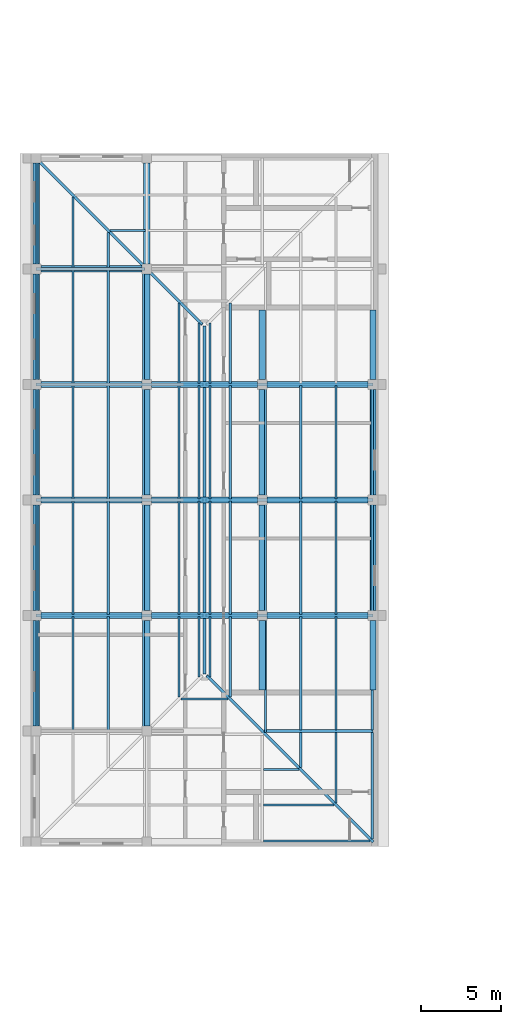
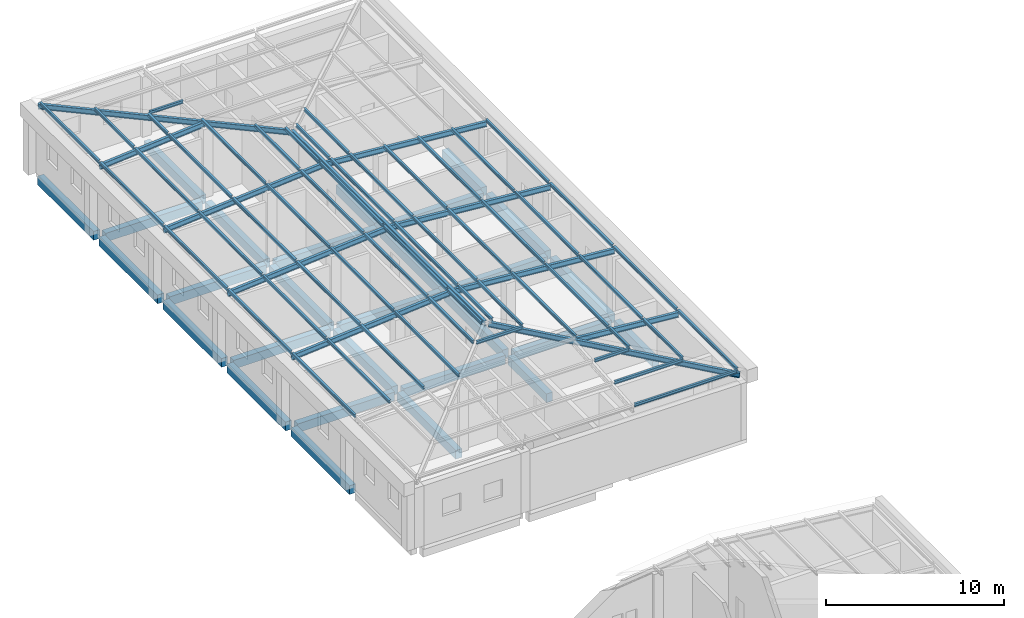
# One storey, part 6 of 48: 55 members, 39 beams.
"""IFC4 building model written with IfcOpenShell, lengths in metres."""

from ifc_helpers import new_model, si_unit, direction, frame, origin, origin_2d, place, context, subcontext, project, spatial, rectangle, i_section, extrude, material, material_profile, profile_set, type_object, element, save


model = new_model("IFC4")

# Units and contexts
model_context = context("Model", 3, precision=1e-05, world=origin(), true_north=direction((0.0, 1.0)))
body_context = subcontext(model_context, "Body", "Model", "MODEL_VIEW")
ifc_project = project(units=[si_unit("LENGTHUNIT", "METRE"), si_unit("AREAUNIT", "SQUARE_METRE"), si_unit("VOLUMEUNIT", "CUBIC_METRE"), si_unit("PLANEANGLEUNIT", "RADIAN"), si_unit("MASSUNIT", "GRAM", prefix="KILO")], contexts=[model_context])

# Site, building, storey
site_placement = place(None, origin())
site = spatial("IfcSite", under=ifc_project, at=site_placement, CompositionType="ELEMENT")
building_placement = place(site_placement, origin())
building = spatial("IfcBuilding", under=site, at=building_placement, Name="Alderwick Market Hall", CompositionType="ELEMENT")
storey_placement = place(building_placement, frame((0.0, 0.0, 14.39990234375)))
storey = spatial("IfcBuildingStorey", under=building, at=storey_placement, Name="L02", CompositionType="ELEMENT", Elevation=14.39990234375)

# Beams
ifc_material_1 = material(Name="Concrete 5000 psi (f'c 35 MPa)", Category="concrete")
ifc_material_profile_1 = material_profile(ifc_material_1, rectangle(XDim=0.39990234375, YDim=0.60009765625, at=origin_2d()), Name="B RC Beam 400x600")
ifc_profile_set_1 = profile_set([ifc_material_profile_1], Name="Concrete 5000 psi (f'c 35 MPa)")
beam_type_1 = type_object("IfcBeamType", Name="B RC Beam 400x600", PredefinedType="BEAM", material=ifc_profile_set_1)
for number, where, z_axis, x_axis, name in (
    (1, (22.199951171875, 122.39990234375, -0.5498046875), (1.0, 0.0, 0.0), (0.0, 1.0, 0.0), "B.N.beam.L02.u072-0006"),
    (2, (22.199951171875, 115.199951171875, -0.5498046875), (1.0, 0.0, 0.0), (0.0, 1.0, 0.0), "B.N.beam.L02.u144-0006"),
):
    element("IfcBeam", number, at=place(storey_placement, frame(where, z_axis=z_axis, x_axis=x_axis)), inside=storey, type_object=beam_type_1, Name=name, PredefinedType="BEAM", context=body_context, shape_type="SweptSolid", body=[
        extrude(rectangle(XDim=0.39990234375, YDim=0.60009765625, at=origin_2d()), origin(), (0.0, 0.0, 1.0), 6.300048828125),
    ])
beam_1_placement = place(storey_placement, frame((29.10009765625, 115.199951171875, -0.5498046875), z_axis=(1.0, 0.0, 0.0), x_axis=(0.0, 1.0, 0.0)))
element("IfcBeam", 3, at=beam_1_placement, inside=storey, type_object=beam_type_1, Name="B.N.beam.L02.u144-0075", PredefinedType="BEAM", context=body_context, shape_type="SweptSolid", body=[
    extrude(rectangle(XDim=0.39990234375, YDim=0.60009765625, at=origin_2d()), origin(), (0.0, 0.0, 1.0), 6.599853515625),
])
for number, where, z_axis, x_axis, name in (
    (4, (36.300048828125, 115.199951171875, -0.5498046875), (1.0, 0.0, 0.0), (0.0, 1.0, 0.0), "B.N.beam.L02.u144-0147"),
    (5, (22.199951171875, 108.0, -0.5498046875), (1.0, 0.0, 0.0), (0.0, 1.0, 0.0), "B.N.beam.L02.u216-0006"),
):
    element("IfcBeam", number, at=place(storey_placement, frame(where, z_axis=z_axis, x_axis=x_axis)), inside=storey, type_object=beam_type_1, Name=name, PredefinedType="BEAM", context=body_context, shape_type="SweptSolid", body=[
        extrude(rectangle(XDim=0.39990234375, YDim=0.60009765625, at=origin_2d()), origin(), (0.0, 0.0, 1.0), 6.300048828125),
    ])
beam_2_placement = place(storey_placement, frame((29.10009765625, 108.0, -0.5498046875), z_axis=(1.0, 0.0, 0.0), x_axis=(0.0, 1.0, 0.0)))
element("IfcBeam", 6, at=beam_2_placement, inside=storey, type_object=beam_type_1, Name="B.N.beam.L02.u216-0075", PredefinedType="BEAM", context=body_context, shape_type="SweptSolid", body=[
    extrude(rectangle(XDim=0.39990234375, YDim=0.60009765625, at=origin_2d()), origin(), (0.0, 0.0, 1.0), 6.599853515625),
])
for number, where, z_axis, x_axis, name in (
    (7, (36.300048828125, 108.0, -0.5498046875), (1.0, 0.0, 0.0), (0.0, 1.0, 0.0), "B.N.beam.L02.u216-0147"),
    (8, (22.199951171875, 100.800048828125, -0.5498046875), (1.0, 0.0, 0.0), (0.0, 1.0, 0.0), "B.N.beam.L02.u288-0006"),
):
    element("IfcBeam", number, at=place(storey_placement, frame(where, z_axis=z_axis, x_axis=x_axis)), inside=storey, type_object=beam_type_1, Name=name, PredefinedType="BEAM", context=body_context, shape_type="SweptSolid", body=[
        extrude(rectangle(XDim=0.39990234375, YDim=0.60009765625, at=origin_2d()), origin(), (0.0, 0.0, 1.0), 6.300048828125),
    ])
beam_3_placement = place(storey_placement, frame((29.10009765625, 100.800048828125, -0.5498046875), z_axis=(1.0, 0.0, 0.0), x_axis=(0.0, 1.0, 0.0)))
element("IfcBeam", 9, at=beam_3_placement, inside=storey, type_object=beam_type_1, Name="B.N.beam.L02.u288-0075", PredefinedType="BEAM", context=body_context, shape_type="SweptSolid", body=[
    extrude(rectangle(XDim=0.39990234375, YDim=0.60009765625, at=origin_2d()), origin(), (0.0, 0.0, 1.0), 6.599853515625),
])
for number, where, z_axis, x_axis, name in (
    (10, (36.300048828125, 100.800048828125, -0.5498046875), (1.0, 0.0, 0.0), (0.0, 1.0, 0.0), "B.N.beam.L02.u288-0147"),
    (11, (21.89990234375, 129.0, -0.5498046875), (0.0, -1.0, 0.0), (1.0, 0.0, 0.0), "B.N.beam.L02.w003-0006"),
):
    element("IfcBeam", number, at=place(storey_placement, frame(where, z_axis=z_axis, x_axis=x_axis)), inside=storey, type_object=beam_type_1, Name=name, PredefinedType="BEAM", context=body_context, shape_type="SweptSolid", body=[
        extrude(rectangle(XDim=0.39990234375, YDim=0.60009765625, at=origin_2d()), origin(), (0.0, 0.0, 1.0), 6.300048828125),
    ])
beam_4_placement = place(storey_placement, frame((21.89990234375, 122.10009765625, -0.5498046875), z_axis=(0.0, -1.0, 0.0), x_axis=(1.0, 0.0, 0.0)))
element("IfcBeam", 12, at=beam_4_placement, inside=storey, type_object=beam_type_1, Name="B.N.beam.L02.w003-0075", PredefinedType="BEAM", context=body_context, shape_type="SweptSolid", body=[
    extrude(rectangle(XDim=0.39990234375, YDim=0.60009765625, at=origin_2d()), origin(), (0.0, 0.0, 1.0), 6.60009765625),
])
for number, where, z_axis, x_axis, name in (
    (13, (21.89990234375, 114.89990234375, -0.5498046875), (0.0, -1.0, 0.0), (1.0, 0.0, 0.0), "B.N.beam.L02.w003-0147"),
    (14, (21.89990234375, 107.699951171875, -0.5498046875), (0.0, -1.0, 0.0), (1.0, 0.0, 0.0), "B.N.beam.L02.w003-0219"),
):
    element("IfcBeam", number, at=place(storey_placement, frame(where, z_axis=z_axis, x_axis=x_axis)), inside=storey, type_object=beam_type_1, Name=name, PredefinedType="BEAM", context=body_context, shape_type="SweptSolid", body=[
        extrude(rectangle(XDim=0.39990234375, YDim=0.60009765625, at=origin_2d()), origin(), (0.0, 0.0, 1.0), 6.599853515625),
    ])
beam_5_placement = place(storey_placement, frame((21.89990234375, 100.5, -0.5498046875), z_axis=(0.0, -1.0, 0.0), x_axis=(1.0, 0.0, 0.0)))
element("IfcBeam", 15, at=beam_5_placement, inside=storey, type_object=beam_type_1, Name="B.N.beam.L02.w003-0291", PredefinedType="BEAM", context=body_context, shape_type="SweptSolid", body=[
    extrude(rectangle(XDim=0.39990234375, YDim=0.60009765625, at=origin_2d()), origin(), (0.0, 0.0, 1.0), 6.60009765625),
])
beam_6_placement = place(storey_placement, frame((28.800048828125, 129.0, -0.5498046875), z_axis=(0.0, -1.0, 0.0), x_axis=(1.0, 0.0, 0.0)))
element("IfcBeam", 16, at=beam_6_placement, inside=storey, type_object=beam_type_1, Name="B.N.beam.L02.w072-0006", PredefinedType="BEAM", context=body_context, shape_type="SweptSolid", body=[
    extrude(rectangle(XDim=0.39990234375, YDim=0.60009765625, at=origin_2d()), origin(), (0.0, 0.0, 1.0), 6.300048828125),
])
beam_7_placement = place(storey_placement, frame((28.800048828125, 122.10009765625, -0.5498046875), z_axis=(0.0, -1.0, 0.0), x_axis=(1.0, 0.0, 0.0)))
element("IfcBeam", 17, at=beam_7_placement, inside=storey, type_object=beam_type_1, Name="B.N.beam.L02.w072-0075", PredefinedType="BEAM", context=body_context, shape_type="SweptSolid", body=[
    extrude(rectangle(XDim=0.39990234375, YDim=0.60009765625, at=origin_2d()), origin(), (0.0, 0.0, 1.0), 6.60009765625),
])
for number, where, z_axis, x_axis, name in (
    (18, (28.800048828125, 114.89990234375, -0.5498046875), (0.0, -1.0, 0.0), (1.0, 0.0, 0.0), "B.N.beam.L02.w072-0147"),
    (19, (28.800048828125, 107.699951171875, -0.5498046875), (0.0, -1.0, 0.0), (1.0, 0.0, 0.0), "B.N.beam.L02.w072-0219"),
):
    element("IfcBeam", number, at=place(storey_placement, frame(where, z_axis=z_axis, x_axis=x_axis)), inside=storey, type_object=beam_type_1, Name=name, PredefinedType="BEAM", context=body_context, shape_type="SweptSolid", body=[
        extrude(rectangle(XDim=0.39990234375, YDim=0.60009765625, at=origin_2d()), origin(), (0.0, 0.0, 1.0), 6.599853515625),
    ])
beam_8_placement = place(storey_placement, frame((28.800048828125, 100.5, -0.5498046875), z_axis=(0.0, -1.0, 0.0), x_axis=(1.0, 0.0, 0.0)))
element("IfcBeam", 20, at=beam_8_placement, inside=storey, type_object=beam_type_1, Name="B.N.beam.L02.w072-0291", PredefinedType="BEAM", context=body_context, shape_type="SweptSolid", body=[
    extrude(rectangle(XDim=0.39990234375, YDim=0.60009765625, at=origin_2d()), origin(), (0.0, 0.0, 1.0), 6.60009765625),
])
beam_9_placement = place(storey_placement, frame((36.0, 119.85009765625, -0.5498046875), z_axis=(0.0, -1.0, 0.0), x_axis=(1.0, 0.0, 0.0)))
element("IfcBeam", 21, at=beam_9_placement, inside=storey, type_object=beam_type_1, Name="B.N.beam.L02.w144-0098", PredefinedType="BEAM", context=body_context, shape_type="SweptSolid", body=[
    extrude(rectangle(XDim=0.39990234375, YDim=0.60009765625, at=origin_2d()), origin(), (0.0, 0.0, 1.0), 4.35009765625),
])
for number, where, z_axis, x_axis, name in (
    (22, (36.0, 114.89990234375, -0.5498046875), (0.0, -1.0, 0.0), (1.0, 0.0, 0.0), "B.N.beam.L02.w144-0147"),
    (23, (36.0, 107.699951171875, -0.5498046875), (0.0, -1.0, 0.0), (1.0, 0.0, 0.0), "B.N.beam.L02.w144-0219"),
):
    element("IfcBeam", number, at=place(storey_placement, frame(where, z_axis=z_axis, x_axis=x_axis)), inside=storey, type_object=beam_type_1, Name=name, PredefinedType="BEAM", context=body_context, shape_type="SweptSolid", body=[
        extrude(rectangle(XDim=0.39990234375, YDim=0.60009765625, at=origin_2d()), origin(), (0.0, 0.0, 1.0), 6.599853515625),
    ])
for number, where, z_axis, x_axis, name in (
    (24, (36.0, 100.5, -0.5498046875), (0.0, -1.0, 0.0), (1.0, 0.0, 0.0), "B.N.beam.L02.w144-0291"),
    (25, (42.89990234375, 119.85009765625, -0.5498046875), (0.0, -1.0, 0.0), (1.0, 0.0, 0.0), "B.N.beam.L02.w213-0098"),
):
    element("IfcBeam", number, at=place(storey_placement, frame(where, z_axis=z_axis, x_axis=x_axis)), inside=storey, type_object=beam_type_1, Name=name, PredefinedType="BEAM", context=body_context, shape_type="SweptSolid", body=[
        extrude(rectangle(XDim=0.39990234375, YDim=0.60009765625, at=origin_2d()), origin(), (0.0, 0.0, 1.0), 4.35009765625),
    ])
for number, where, z_axis, x_axis, name in (
    (26, (42.89990234375, 114.89990234375, -0.5498046875), (0.0, -1.0, 0.0), (1.0, 0.0, 0.0), "B.N.beam.L02.w213-0147"),
    (27, (42.89990234375, 107.699951171875, -0.5498046875), (0.0, -1.0, 0.0), (1.0, 0.0, 0.0), "B.N.beam.L02.w213-0219"),
):
    element("IfcBeam", number, at=place(storey_placement, frame(where, z_axis=z_axis, x_axis=x_axis)), inside=storey, type_object=beam_type_1, Name=name, PredefinedType="BEAM", context=body_context, shape_type="SweptSolid", body=[
        extrude(rectangle(XDim=0.39990234375, YDim=0.60009765625, at=origin_2d()), origin(), (0.0, 0.0, 1.0), 6.599853515625),
    ])
beam_10_placement = place(storey_placement, frame((42.89990234375, 100.5, -0.5498046875), z_axis=(0.0, -1.0, 0.0), x_axis=(1.0, 0.0, 0.0)))
element("IfcBeam", 28, at=beam_10_placement, inside=storey, type_object=beam_type_1, Name="B.N.beam.L02.w213-0291", PredefinedType="BEAM", context=body_context, shape_type="SweptSolid", body=[
    extrude(rectangle(XDim=0.39990234375, YDim=0.60009765625, at=origin_2d()), origin(), (0.0, 0.0, 1.0), 4.35009765625),
])

# Members
ifc_material_2 = material(Name="Steel ASTM A992 Grade 50", Category="steel")
ifc_material_profile_2 = material_profile(ifc_material_2, i_section(OverallWidth=0.134033203125, OverallDepth=0.2099609375, WebThickness=0.00634765625, FlangeThickness=0.01025390625, at=origin_2d()), Name="W200x31")
ifc_profile_set_2 = profile_set([ifc_material_profile_2], Name="Steel ASTM A992 Grade 50")
member_type = type_object("IfcMemberType", Name="B Roof Purlin W200x31", PredefinedType="PURLIN", material=ifc_profile_set_2)
member_1_placement = place(storey_placement, frame((21.949951171875, 129.1279296875, 4.603515625), z_axis=(0.0, -1.0, 0.0), x_axis=(1.0, 0.0, 0.0)))
element("IfcMember", 29, at=member_1_placement, inside=storey, type_object=member_type, Name="B.N.purlin.s00.00", PredefinedType="PURLIN", context=body_context, shape_type="SweptSolid", body=[
    extrude(i_section(OverallWidth=0.134033203125, OverallDepth=0.2099609375, WebThickness=0.00634765625, FlangeThickness=0.01025390625, at=origin_2d()), origin(), (0.0, 0.0, 1.0), 6.65283203125),
])
for number, where, z_axis, x_axis, name in (
    (30, (21.949951171875, 122.324951171875, 4.603515625), (0.0, -1.0, 0.0), (1.0, 0.0, 0.0), "B.N.purlin.s00.01"),
    (31, (21.949951171875, 115.125, 4.603515625), (0.0, -1.0, 0.0), (1.0, 0.0, 0.0), "B.N.purlin.s00.02"),
    (32, (42.85009765625, 115.125, 4.603515625), (0.0, -1.0, 0.0), (1.0, 0.0, 0.0), "B.N.purlin.s01.02"),
    (33, (21.949951171875, 107.925048828125, 4.603515625), (0.0, -1.0, 0.0), (1.0, 0.0, 0.0), "B.N.purlin.s00.03"),
    (34, (42.85009765625, 107.925048828125, 4.603515625), (0.0, -1.0, 0.0), (1.0, 0.0, 0.0), "B.N.purlin.s01.03"),
    (35, (21.949951171875, 100.72509765625, 4.603515625), (0.0, -1.0, 0.0), (1.0, 0.0, 0.0), "B.N.purlin.s00.04"),
    (36, (42.85009765625, 100.72509765625, 4.603515625), (0.0, -1.0, 0.0), (1.0, 0.0, 0.0), "B.N.purlin.s01.04"),
):
    element("IfcMember", number, at=place(storey_placement, frame(where, z_axis=z_axis, x_axis=x_axis)), inside=storey, type_object=member_type, Name=name, PredefinedType="PURLIN", context=body_context, shape_type="SweptSolid", body=[
        extrude(i_section(OverallWidth=0.134033203125, OverallDepth=0.2099609375, WebThickness=0.00634765625, FlangeThickness=0.01025390625, at=origin_2d()), origin(), (0.0, 0.0, 1.0), 7.050048828125),
    ])
member_2_placement = place(storey_placement, frame((42.85009765625, 93.52490234375, 4.603515625), z_axis=(0.0, -1.0, 0.0), x_axis=(1.0, 0.0, 0.0)))
element("IfcMember", 37, at=member_2_placement, inside=storey, type_object=member_type, Name="B.N.purlin.s01.05", PredefinedType="PURLIN", context=body_context, shape_type="SweptSolid", body=[
    extrude(i_section(OverallWidth=0.134033203125, OverallDepth=0.2099609375, WebThickness=0.00634765625, FlangeThickness=0.01025390625, at=origin_2d()), origin(), (0.0, 0.0, 1.0), 6.65283203125),
])
member_3_placement = place(storey_placement, frame((36.074951171875, 86.75, 4.603515625), z_axis=(1.0, 0.0, 0.0), x_axis=(0.0, 1.0, 0.0)))
element("IfcMember", 38, at=member_3_placement, inside=storey, type_object=member_type, Name="B.N.purlin.e01.02", PredefinedType="PURLIN", context=body_context, shape_type="SweptSolid", body=[
    extrude(i_section(OverallWidth=0.134033203125, OverallDepth=0.2099609375, WebThickness=0.00634765625, FlangeThickness=0.01025390625, at=origin_2d()), origin(), (0.0, 0.0, 1.0), 6.653076171875),
])
member_4_placement = place(storey_placement, frame((24.199951171875, 126.8779296875, 4.791015625), z_axis=(0.0, -1.0, 0.0), x_axis=(1.0, 0.0, 0.0)))
element("IfcMember", 39, at=member_4_placement, inside=storey, type_object=member_type, Name="B.N.purlin.s10.00", PredefinedType="PURLIN", context=body_context, shape_type="SweptSolid", body=[
    extrude(i_section(OverallWidth=0.134033203125, OverallDepth=0.2099609375, WebThickness=0.00634765625, FlangeThickness=0.01025390625, at=origin_2d()), origin(), (0.0, 0.0, 1.0), 4.40283203125),
])
for number, where, z_axis, x_axis, name in (
    (40, (24.199951171875, 122.324951171875, 4.791015625), (0.0, -1.0, 0.0), (1.0, 0.0, 0.0), "B.N.purlin.s10.01"),
    (41, (24.199951171875, 115.125, 4.791015625), (0.0, -1.0, 0.0), (1.0, 0.0, 0.0), "B.N.purlin.s10.02"),
    (42, (40.60009765625, 115.125, 4.791015625), (0.0, -1.0, 0.0), (1.0, 0.0, 0.0), "B.N.purlin.s11.02"),
    (43, (24.199951171875, 107.925048828125, 4.791015625), (0.0, -1.0, 0.0), (1.0, 0.0, 0.0), "B.N.purlin.s10.03"),
    (44, (40.60009765625, 107.925048828125, 4.791015625), (0.0, -1.0, 0.0), (1.0, 0.0, 0.0), "B.N.purlin.s11.03"),
    (45, (24.199951171875, 100.72509765625, 4.791015625), (0.0, -1.0, 0.0), (1.0, 0.0, 0.0), "B.N.purlin.s10.04"),
    (46, (40.60009765625, 100.72509765625, 4.791015625), (0.0, -1.0, 0.0), (1.0, 0.0, 0.0), "B.N.purlin.s11.04"),
):
    element("IfcMember", number, at=place(storey_placement, frame(where, z_axis=z_axis, x_axis=x_axis)), inside=storey, type_object=member_type, Name=name, PredefinedType="PURLIN", context=body_context, shape_type="SweptSolid", body=[
        extrude(i_section(OverallWidth=0.134033203125, OverallDepth=0.2099609375, WebThickness=0.00634765625, FlangeThickness=0.01025390625, at=origin_2d()), origin(), (0.0, 0.0, 1.0), 7.050048828125),
    ])
member_5_placement = place(storey_placement, frame((40.60009765625, 93.52490234375, 4.791015625), z_axis=(0.0, -1.0, 0.0), x_axis=(1.0, 0.0, 0.0)))
element("IfcMember", 47, at=member_5_placement, inside=storey, type_object=member_type, Name="B.N.purlin.s11.05", PredefinedType="PURLIN", context=body_context, shape_type="SweptSolid", body=[
    extrude(i_section(OverallWidth=0.134033203125, OverallDepth=0.2099609375, WebThickness=0.00634765625, FlangeThickness=0.01025390625, at=origin_2d()), origin(), (0.0, 0.0, 1.0), 4.40283203125),
])
member_6_placement = place(storey_placement, frame((36.074951171875, 89.0, 4.791015625), z_axis=(1.0, 0.0, 0.0), x_axis=(0.0, 1.0, 0.0)))
element("IfcMember", 48, at=member_6_placement, inside=storey, type_object=member_type, Name="B.N.purlin.e11.02", PredefinedType="PURLIN", context=body_context, shape_type="SweptSolid", body=[
    extrude(i_section(OverallWidth=0.134033203125, OverallDepth=0.2099609375, WebThickness=0.00634765625, FlangeThickness=0.01025390625, at=origin_2d()), origin(), (0.0, 0.0, 1.0), 4.403076171875),
])
member_7_placement = place(storey_placement, frame((26.39990234375, 124.677978515625, 4.974365234375), z_axis=(0.0, -1.0, 0.0), x_axis=(1.0, 0.0, 0.0)))
element("IfcMember", 49, at=member_7_placement, inside=storey, type_object=member_type, Name="B.N.purlin.s20.00", PredefinedType="PURLIN", context=body_context, shape_type="SweptSolid", body=[
    extrude(i_section(OverallWidth=0.134033203125, OverallDepth=0.2099609375, WebThickness=0.00634765625, FlangeThickness=0.01025390625, at=origin_2d()), origin(), (0.0, 0.0, 1.0), 2.202880859375),
])
for number, where, z_axis, x_axis, name in (
    (50, (26.39990234375, 122.324951171875, 4.974365234375), (0.0, -1.0, 0.0), (1.0, 0.0, 0.0), "B.N.purlin.s20.01"),
    (51, (26.39990234375, 115.125, 4.974365234375), (0.0, -1.0, 0.0), (1.0, 0.0, 0.0), "B.N.purlin.s20.02"),
    (52, (38.39990234375, 115.125, 4.974365234375), (0.0, -1.0, 0.0), (1.0, 0.0, 0.0), "B.N.purlin.s21.02"),
    (53, (26.39990234375, 107.925048828125, 4.974365234375), (0.0, -1.0, 0.0), (1.0, 0.0, 0.0), "B.N.purlin.s20.03"),
    (54, (38.39990234375, 107.925048828125, 4.974365234375), (0.0, -1.0, 0.0), (1.0, 0.0, 0.0), "B.N.purlin.s21.03"),
    (55, (26.39990234375, 100.72509765625, 4.974365234375), (0.0, -1.0, 0.0), (1.0, 0.0, 0.0), "B.N.purlin.s20.04"),
    (56, (38.39990234375, 100.72509765625, 4.974365234375), (0.0, -1.0, 0.0), (1.0, 0.0, 0.0), "B.N.purlin.s21.04"),
):
    element("IfcMember", number, at=place(storey_placement, frame(where, z_axis=z_axis, x_axis=x_axis)), inside=storey, type_object=member_type, Name=name, PredefinedType="PURLIN", context=body_context, shape_type="SweptSolid", body=[
        extrude(i_section(OverallWidth=0.134033203125, OverallDepth=0.2099609375, WebThickness=0.00634765625, FlangeThickness=0.01025390625, at=origin_2d()), origin(), (0.0, 0.0, 1.0), 7.050048828125),
    ])
member_8_placement = place(storey_placement, frame((38.39990234375, 93.52490234375, 4.974365234375), z_axis=(0.0, -1.0, 0.0), x_axis=(1.0, 0.0, 0.0)))
element("IfcMember", 57, at=member_8_placement, inside=storey, type_object=member_type, Name="B.N.purlin.s21.05", PredefinedType="PURLIN", context=body_context, shape_type="SweptSolid", body=[
    extrude(i_section(OverallWidth=0.134033203125, OverallDepth=0.2099609375, WebThickness=0.00634765625, FlangeThickness=0.01025390625, at=origin_2d()), origin(), (0.0, 0.0, 1.0), 2.202880859375),
])
for number, where, z_axis, x_axis, name in (
    (58, (26.52197265625, 124.800048828125, 4.974365234375), (1.0, 0.0, 0.0), (0.0, 1.0, 0.0), "B.N.purlin.e20.00"),
    (59, (36.074951171875, 91.199951171875, 4.974365234375), (1.0, 0.0, 0.0), (0.0, 1.0, 0.0), "B.N.purlin.e21.02"),
):
    element("IfcMember", number, at=place(storey_placement, frame(where, z_axis=z_axis, x_axis=x_axis)), inside=storey, type_object=member_type, Name=name, PredefinedType="PURLIN", context=body_context, shape_type="SweptSolid", body=[
        extrude(i_section(OverallWidth=0.134033203125, OverallDepth=0.2099609375, WebThickness=0.00634765625, FlangeThickness=0.01025390625, at=origin_2d()), origin(), (0.0, 0.0, 1.0), 2.203125),
    ])
member_9_placement = place(storey_placement, frame((28.60009765625, 122.47802734375, 5.15771484375), z_axis=(0.0, -1.0, 0.0), x_axis=(1.0, 0.0, 0.0)))
element("IfcMember", 60, at=member_9_placement, inside=storey, type_object=member_type, Name="B.N.purlin.s30.00", PredefinedType="PURLIN", context=body_context, shape_type="SweptSolid", body=[
    extrude(i_section(OverallWidth=0.134033203125, OverallDepth=0.2099609375, WebThickness=0.00634765625, FlangeThickness=0.01025390625, at=origin_2d()), origin(), (0.0, 0.0, 1.0), 7.203125),
])
for number, where, z_axis, x_axis, name in (
    (61, (28.60009765625, 115.125, 5.15771484375), (0.0, -1.0, 0.0), (1.0, 0.0, 0.0), "B.N.purlin.s30.01"),
    (62, (36.199951171875, 115.125, 5.15771484375), (0.0, -1.0, 0.0), (1.0, 0.0, 0.0), "B.N.purlin.s31.01"),
    (63, (28.60009765625, 107.925048828125, 5.15771484375), (0.0, -1.0, 0.0), (1.0, 0.0, 0.0), "B.N.purlin.s30.02"),
    (64, (36.199951171875, 107.925048828125, 5.15771484375), (0.0, -1.0, 0.0), (1.0, 0.0, 0.0), "B.N.purlin.s31.02"),
):
    element("IfcMember", number, at=place(storey_placement, frame(where, z_axis=z_axis, x_axis=x_axis)), inside=storey, type_object=member_type, Name=name, PredefinedType="PURLIN", context=body_context, shape_type="SweptSolid", body=[
        extrude(i_section(OverallWidth=0.134033203125, OverallDepth=0.2099609375, WebThickness=0.00634765625, FlangeThickness=0.01025390625, at=origin_2d()), origin(), (0.0, 0.0, 1.0), 7.050048828125),
    ])
for number, where, z_axis, x_axis, name in (
    (65, (28.60009765625, 100.72509765625, 5.15771484375), (0.0, -1.0, 0.0), (1.0, 0.0, 0.0), "B.N.purlin.s30.03"),
    (66, (36.199951171875, 100.72509765625, 5.15771484375), (0.0, -1.0, 0.0), (1.0, 0.0, 0.0), "B.N.purlin.s31.03"),
):
    element("IfcMember", number, at=place(storey_placement, frame(where, z_axis=z_axis, x_axis=x_axis)), inside=storey, type_object=member_type, Name=name, PredefinedType="PURLIN", context=body_context, shape_type="SweptSolid", body=[
        extrude(i_section(OverallWidth=0.134033203125, OverallDepth=0.2099609375, WebThickness=0.00634765625, FlangeThickness=0.01025390625, at=origin_2d()), origin(), (0.0, 0.0, 1.0), 7.203125),
    ])
for number, where, z_axis, x_axis, name in (
    (67, (30.800048828125, 120.278076171875, 5.341064453125), (0.0, -1.0, 0.0), (1.0, 0.0, 0.0), "B.N.purlin.s40.00"),
    (68, (34.0, 120.278076171875, 5.341064453125), (0.0, -1.0, 0.0), (1.0, 0.0, 0.0), "B.N.purlin.s41.00"),
):
    element("IfcMember", number, at=place(storey_placement, frame(where, z_axis=z_axis, x_axis=x_axis)), inside=storey, type_object=member_type, Name=name, PredefinedType="PURLIN", context=body_context, shape_type="SweptSolid", body=[
        extrude(i_section(OverallWidth=0.134033203125, OverallDepth=0.2099609375, WebThickness=0.00634765625, FlangeThickness=0.01025390625, at=origin_2d()), origin(), (0.0, 0.0, 1.0), 5.003173828125),
    ])
for number, where, z_axis, x_axis, name in (
    (69, (30.800048828125, 115.125, 5.341064453125), (0.0, -1.0, 0.0), (1.0, 0.0, 0.0), "B.N.purlin.s40.01"),
    (70, (34.0, 115.125, 5.341064453125), (0.0, -1.0, 0.0), (1.0, 0.0, 0.0), "B.N.purlin.s41.01"),
    (71, (30.800048828125, 107.925048828125, 5.341064453125), (0.0, -1.0, 0.0), (1.0, 0.0, 0.0), "B.N.purlin.s40.02"),
    (72, (34.0, 107.925048828125, 5.341064453125), (0.0, -1.0, 0.0), (1.0, 0.0, 0.0), "B.N.purlin.s41.02"),
):
    element("IfcMember", number, at=place(storey_placement, frame(where, z_axis=z_axis, x_axis=x_axis)), inside=storey, type_object=member_type, Name=name, PredefinedType="PURLIN", context=body_context, shape_type="SweptSolid", body=[
        extrude(i_section(OverallWidth=0.134033203125, OverallDepth=0.2099609375, WebThickness=0.00634765625, FlangeThickness=0.01025390625, at=origin_2d()), origin(), (0.0, 0.0, 1.0), 7.050048828125),
    ])
for number, where, z_axis, x_axis, name in (
    (73, (30.800048828125, 100.72509765625, 5.341064453125), (0.0, -1.0, 0.0), (1.0, 0.0, 0.0), "B.N.purlin.s40.03"),
    (74, (34.0, 100.72509765625, 5.341064453125), (0.0, -1.0, 0.0), (1.0, 0.0, 0.0), "B.N.purlin.s41.03"),
):
    element("IfcMember", number, at=place(storey_placement, frame(where, z_axis=z_axis, x_axis=x_axis)), inside=storey, type_object=member_type, Name=name, PredefinedType="PURLIN", context=body_context, shape_type="SweptSolid", body=[
        extrude(i_section(OverallWidth=0.134033203125, OverallDepth=0.2099609375, WebThickness=0.00634765625, FlangeThickness=0.01025390625, at=origin_2d()), origin(), (0.0, 0.0, 1.0), 5.003173828125),
    ])
member_10_placement = place(storey_placement, frame((30.922119140625, 95.60009765625, 5.341064453125), z_axis=(1.0, 0.0, 0.0), x_axis=(0.0, 1.0, 0.0)))
element("IfcMember", 75, at=member_10_placement, inside=storey, type_object=member_type, Name="B.N.purlin.e41.00", PredefinedType="PURLIN", context=body_context, shape_type="SweptSolid", body=[
    extrude(i_section(OverallWidth=0.134033203125, OverallDepth=0.2099609375, WebThickness=0.00634765625, FlangeThickness=0.01025390625, at=origin_2d()), origin(), (0.0, 0.0, 1.0), 2.955810546875),
])
for number, where, z_axis, x_axis, name in (
    (76, (32.050048828125, 119.028076171875, 5.4453125), (0.0, -1.0, 0.0), (1.0, 0.0, 0.0), "B.N.purlin.s50.00"),
    (77, (32.75, 119.028076171875, 5.4453125), (0.0, -1.0, 0.0), (1.0, 0.0, 0.0), "B.N.purlin.s51.00"),
):
    element("IfcMember", number, at=place(storey_placement, frame(where, z_axis=z_axis, x_axis=x_axis)), inside=storey, type_object=member_type, Name=name, PredefinedType="PURLIN", context=body_context, shape_type="SweptSolid", body=[
        extrude(i_section(OverallWidth=0.134033203125, OverallDepth=0.2099609375, WebThickness=0.00634765625, FlangeThickness=0.01025390625, at=origin_2d()), origin(), (0.0, 0.0, 1.0), 3.753173828125),
    ])
for number, where, z_axis, x_axis, name in (
    (78, (32.050048828125, 115.125, 5.4453125), (0.0, -1.0, 0.0), (1.0, 0.0, 0.0), "B.N.purlin.s50.01"),
    (79, (32.75, 115.125, 5.4453125), (0.0, -1.0, 0.0), (1.0, 0.0, 0.0), "B.N.purlin.s51.01"),
    (80, (32.050048828125, 107.925048828125, 5.4453125), (0.0, -1.0, 0.0), (1.0, 0.0, 0.0), "B.N.purlin.s50.02"),
    (81, (32.75, 107.925048828125, 5.4453125), (0.0, -1.0, 0.0), (1.0, 0.0, 0.0), "B.N.purlin.s51.02"),
):
    element("IfcMember", number, at=place(storey_placement, frame(where, z_axis=z_axis, x_axis=x_axis)), inside=storey, type_object=member_type, Name=name, PredefinedType="PURLIN", context=body_context, shape_type="SweptSolid", body=[
        extrude(i_section(OverallWidth=0.134033203125, OverallDepth=0.2099609375, WebThickness=0.00634765625, FlangeThickness=0.01025390625, at=origin_2d()), origin(), (0.0, 0.0, 1.0), 7.050048828125),
    ])
for number, where, z_axis, x_axis, name in (
    (82, (32.050048828125, 100.72509765625, 5.4453125), (0.0, -1.0, 0.0), (1.0, 0.0, 0.0), "B.N.purlin.s50.03"),
    (83, (32.75, 100.72509765625, 5.4453125), (0.0, -1.0, 0.0), (1.0, 0.0, 0.0), "B.N.purlin.s51.03"),
):
    element("IfcMember", number, at=place(storey_placement, frame(where, z_axis=z_axis, x_axis=x_axis)), inside=storey, type_object=member_type, Name=name, PredefinedType="PURLIN", context=body_context, shape_type="SweptSolid", body=[
        extrude(i_section(OverallWidth=0.134033203125, OverallDepth=0.2099609375, WebThickness=0.00634765625, FlangeThickness=0.01025390625, at=origin_2d()), origin(), (0.0, 0.0, 1.0), 3.753173828125),
    ])

# Beams
ifc_material_profile_3 = material_profile(ifc_material_2, i_section(OverallWidth=0.1708984375, OverallDepth=0.35498046875, WebThickness=0.007080078125, FlangeThickness=0.01171875, at=origin_2d()), Name="W360x51")
ifc_profile_set_3 = profile_set([ifc_material_profile_3], Name="Steel ASTM A992 Grade 50")
beam_type_2 = type_object("IfcBeamType", Name="B Roof Rafter W360x51", PredefinedType="BEAM", material=ifc_profile_set_3)
beam_11_placement = place(storey_placement, frame((32.39990234375, 118.85009765625, 5.186767578125), z_axis=(0.0, -1.0, 0.0), x_axis=(1.0, 0.0, 0.0)))
element("IfcBeam", 84, at=beam_11_placement, inside=storey, type_object=beam_type_2, Name="B.N.ridge", PredefinedType="BEAM", context=body_context, shape_type="SweptSolid", body=[
    extrude(i_section(OverallWidth=0.1708984375, OverallDepth=0.35498046875, WebThickness=0.007080078125, FlangeThickness=0.01171875, at=origin_2d()), origin(), (0.0, 0.0, 1.0), 21.7001953125),
])
for number, where, z_axis, x_axis, name in (
    (85, (21.89990234375, 129.300048828125, 4.31591796875), (0.70588269844, -0.70588269844, 0.058815236862), (0.707106781187, 0.707106781187, 0.0), "B.N.hip.1"),
    (86, (42.89990234375, 86.699951171875, 4.31591796875), (-0.70588269844, 0.70588269844, 0.058815236862), (-0.707106781187, -0.707106781187, 0.0), "B.N.hip.3"),
):
    element("IfcBeam", number, at=place(storey_placement, frame(where, z_axis=z_axis, x_axis=x_axis)), inside=storey, type_object=beam_type_2, Name=name, PredefinedType="BEAM", context=body_context, shape_type="SweptSolid", body=[
        extrude(i_section(OverallWidth=0.1708984375, OverallDepth=0.35498046875, WebThickness=0.007080078125, FlangeThickness=0.01171875, at=origin_2d()), origin(), (0.0, 0.0, 1.0), 14.66943359375),
    ])
beam_12_placement = place(storey_placement, frame((21.89990234375, 122.39990234375, 4.31591796875), z_axis=(0.996547490881, 0.0, 0.083024685603), x_axis=(0.0, 1.0, 0.0)))
element("IfcBeam", 87, at=beam_12_placement, inside=storey, type_object=beam_type_2, Name="B.N.rafter.W.072", PredefinedType="BEAM", context=body_context, shape_type="SweptSolid", body=[
    extrude(i_section(OverallWidth=0.1708984375, OverallDepth=0.35498046875, WebThickness=0.007080078125, FlangeThickness=0.01171875, at=origin_2d()), origin(), (0.0, 0.0, 1.0), 6.801513671875),
])
beam_13_placement = place(storey_placement, frame((21.89990234375, 115.199951171875, 4.31591796875), z_axis=(0.996547369183, 0.0, 0.083026146328), x_axis=(0.0, 1.0, 0.0)))
element("IfcBeam", 88, at=beam_13_placement, inside=storey, type_object=beam_type_2, Name="B.N.rafter.W.144", PredefinedType="BEAM", context=body_context, shape_type="SweptSolid", body=[
    extrude(i_section(OverallWidth=0.1708984375, OverallDepth=0.35498046875, WebThickness=0.007080078125, FlangeThickness=0.01171875, at=origin_2d()), origin(), (0.0, 0.0, 1.0), 10.45068359375),
])
beam_14_placement = place(storey_placement, frame((42.89990234375, 115.199951171875, 4.31591796875), z_axis=(-0.99654720814, 0.0, 0.083028079277), x_axis=(0.0, -1.0, 0.0)))
element("IfcBeam", 89, at=beam_14_placement, inside=storey, type_object=beam_type_2, Name="B.N.rafter.E.144", PredefinedType="BEAM", context=body_context, shape_type="SweptSolid", body=[
    extrude(i_section(OverallWidth=0.1708984375, OverallDepth=0.35498046875, WebThickness=0.007080078125, FlangeThickness=0.01171875, at=origin_2d()), origin(), (0.0, 0.0, 1.0), 10.450439453125),
])
beam_15_placement = place(storey_placement, frame((21.89990234375, 108.0, 4.31591796875), z_axis=(0.996547369183, 0.0, 0.083026146328), x_axis=(0.0, 1.0, 0.0)))
element("IfcBeam", 90, at=beam_15_placement, inside=storey, type_object=beam_type_2, Name="B.N.rafter.W.216", PredefinedType="BEAM", context=body_context, shape_type="SweptSolid", body=[
    extrude(i_section(OverallWidth=0.1708984375, OverallDepth=0.35498046875, WebThickness=0.007080078125, FlangeThickness=0.01171875, at=origin_2d()), origin(), (0.0, 0.0, 1.0), 10.45068359375),
])
beam_16_placement = place(storey_placement, frame((42.89990234375, 108.0, 4.31591796875), z_axis=(-0.99654720814, 0.0, 0.083028079277), x_axis=(0.0, -1.0, 0.0)))
element("IfcBeam", 91, at=beam_16_placement, inside=storey, type_object=beam_type_2, Name="B.N.rafter.E.216", PredefinedType="BEAM", context=body_context, shape_type="SweptSolid", body=[
    extrude(i_section(OverallWidth=0.1708984375, OverallDepth=0.35498046875, WebThickness=0.007080078125, FlangeThickness=0.01171875, at=origin_2d()), origin(), (0.0, 0.0, 1.0), 10.450439453125),
])
beam_17_placement = place(storey_placement, frame((21.89990234375, 100.800048828125, 4.31591796875), z_axis=(0.996547369183, 0.0, 0.083026146328), x_axis=(0.0, 1.0, 0.0)))
element("IfcBeam", 92, at=beam_17_placement, inside=storey, type_object=beam_type_2, Name="B.N.rafter.W.288", PredefinedType="BEAM", context=body_context, shape_type="SweptSolid", body=[
    extrude(i_section(OverallWidth=0.1708984375, OverallDepth=0.35498046875, WebThickness=0.007080078125, FlangeThickness=0.01171875, at=origin_2d()), origin(), (0.0, 0.0, 1.0), 10.45068359375),
])
beam_18_placement = place(storey_placement, frame((42.89990234375, 100.800048828125, 4.31591796875), z_axis=(-0.99654720814, 0.0, 0.083028079277), x_axis=(0.0, -1.0, 0.0)))
element("IfcBeam", 93, at=beam_18_placement, inside=storey, type_object=beam_type_2, Name="B.N.rafter.E.288", PredefinedType="BEAM", context=body_context, shape_type="SweptSolid", body=[
    extrude(i_section(OverallWidth=0.1708984375, OverallDepth=0.35498046875, WebThickness=0.007080078125, FlangeThickness=0.01171875, at=origin_2d()), origin(), (0.0, 0.0, 1.0), 10.450439453125),
])
beam_19_placement = place(storey_placement, frame((42.89990234375, 93.60009765625, 4.31591796875), z_axis=(-0.996547243441, 0.0, 0.083027655575), x_axis=(0.0, -1.0, 0.0)))
element("IfcBeam", 94, at=beam_19_placement, inside=storey, type_object=beam_type_2, Name="B.N.rafter.E.360", PredefinedType="BEAM", context=body_context, shape_type="SweptSolid", body=[
    extrude(i_section(OverallWidth=0.1708984375, OverallDepth=0.35498046875, WebThickness=0.007080078125, FlangeThickness=0.01171875, at=origin_2d()), origin(), (0.0, 0.0, 1.0), 6.80126953125),
])

save(model, "model.ifc")
